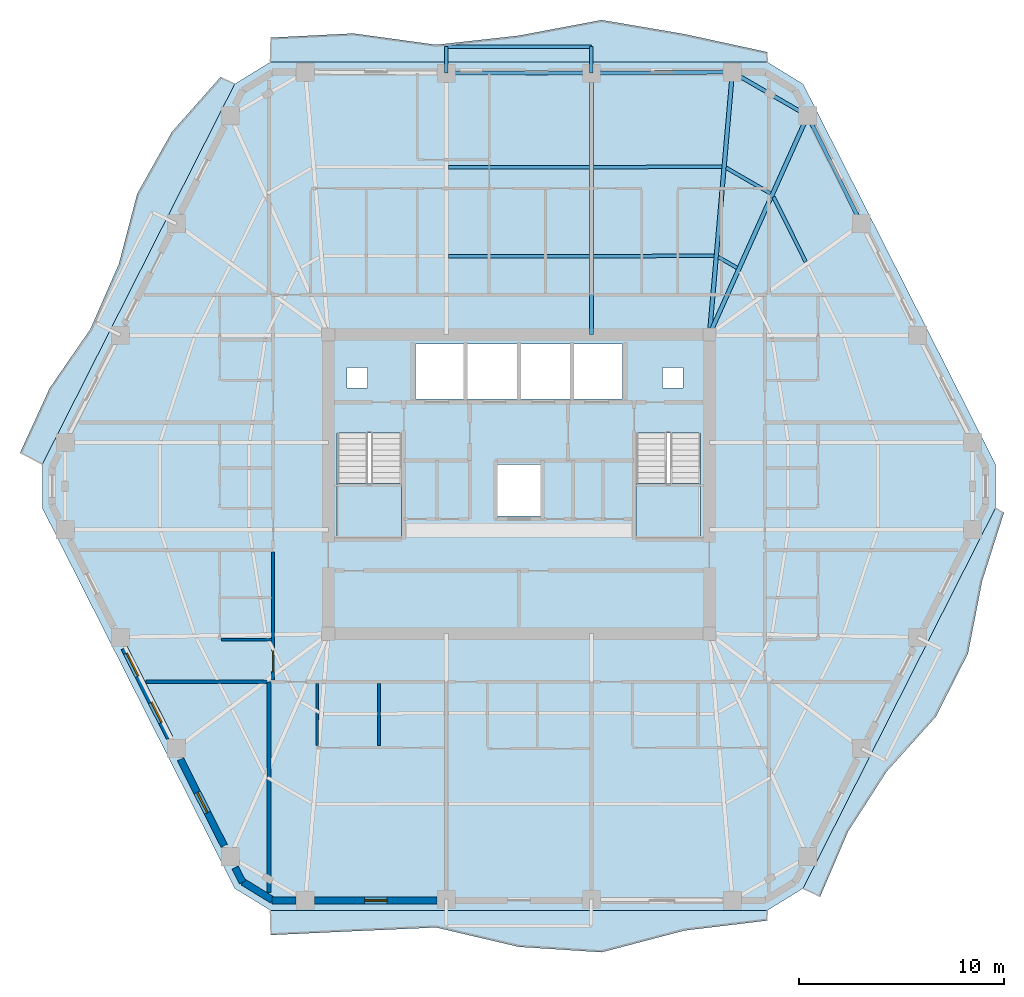
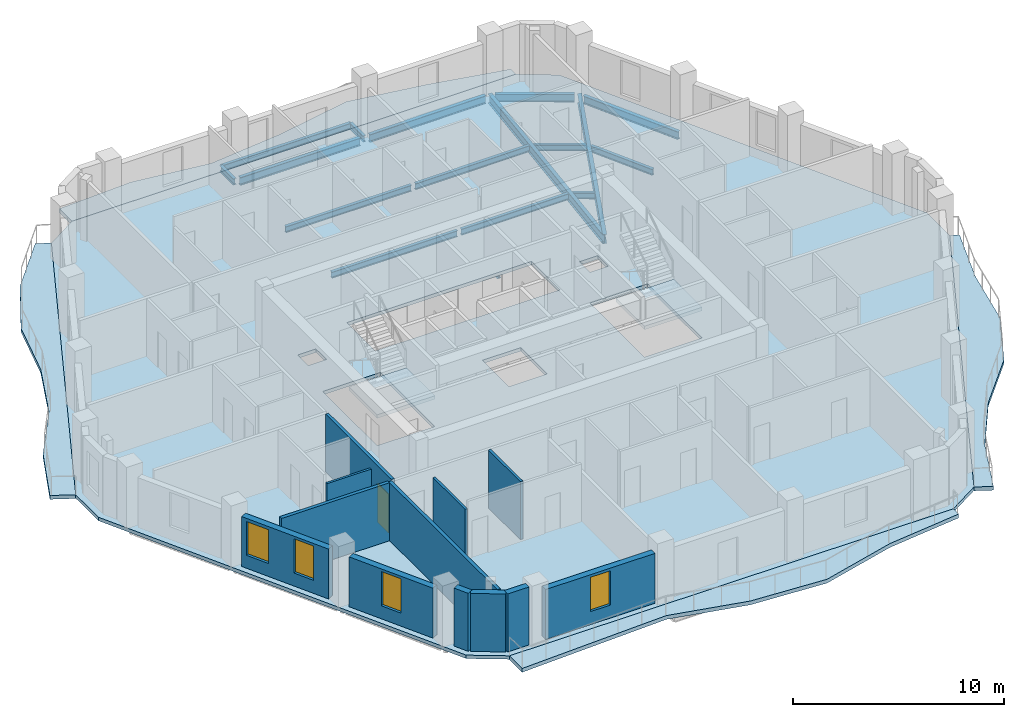
# One storey, part 3 of 10: 17 beams, 12 walls, 7 slabs, 4 windows, 1 door, 5 openings, 2 elements without a shape of their own.
"""IFC4 building model written with IfcOpenShell, lengths in metres."""

from ifc_helpers import new_model, si_unit, direction, frame, frame_2d, origin, origin_2d, place, context, subcontext, project, spatial, polyline, rectangle, i_section, outline, extrude, material, layer, layer_set, material_profile, profile_set, type_object, element, fill, aggregate, save


model = new_model("IFC4")

# Units and contexts
model_context = context("Model", 3, precision=1e-05, world=origin(), true_north=direction((0.0, 1.0)))
body_context = subcontext(model_context, "Body", "Model", "MODEL_VIEW")
ifc_project = project(units=[si_unit("LENGTHUNIT", "METRE"), si_unit("AREAUNIT", "SQUARE_METRE"), si_unit("VOLUMEUNIT", "CUBIC_METRE"), si_unit("PLANEANGLEUNIT", "RADIAN"), si_unit("MASSUNIT", "GRAM", prefix="KILO")], contexts=[model_context])

# Site, building, storey
site_placement = place(None, origin())
site = spatial("IfcSite", under=ifc_project, at=site_placement, CompositionType="ELEMENT")
building_placement = place(site_placement, origin())
building = spatial("IfcBuilding", under=site, at=building_placement, Name="Cinnabar Lancet Tower", CompositionType="ELEMENT")
storey_placement = place(building_placement, frame((0.0, 0.0, 203.85009765625)))
storey = spatial("IfcBuildingStorey", under=building, at=storey_placement, Name="L54", CompositionType="ELEMENT", Elevation=203.85009765625)

# Beams
ifc_material_1 = material(Name="Structural steel S355", Category="steel")
ifc_material_profile_1 = material_profile(ifc_material_1, i_section(OverallWidth=0.17138671875, OverallDepth=0.35498046875, WebThickness=0.00732421875, FlangeThickness=0.011474609375, FilletRadius=0.01025390625, at=origin_2d()), Name="UKB 356x171x51")
ifc_profile_set_1 = profile_set([ifc_material_profile_1], Name="Structural steel S355")
beam_type_1 = type_object("IfcBeamType", Name="STR-BM-JST-356", PredefinedType="JOIST", material=ifc_profile_set_1)
beam_1_placement = place(storey_placement, frame((46.40087890625, 36.75, -0.378173828125), z_axis=(-0.444780091128, 0.895639810714, 0.0), x_axis=(-0.895639810714, -0.444780091128, 0.0)))
element("IfcBeam", 1, at=beam_1_placement, inside=storey, type_object=beam_type_1, Name="L54 Secondary Floor Joist 29", PredefinedType="JOIST", context=body_context, shape_type="SweptSolid", body=[
    extrude(i_section(OverallWidth=0.17138671875, OverallDepth=0.35498046875, WebThickness=0.00732421875, FlangeThickness=0.011474609375, FilletRadius=0.01025390625, at=origin_2d()), origin(), (0.0, 0.0, 1.0), 3.533935546875),
])
beam_2_placement = place(storey_placement, frame((44.677978515625, 40.089111328125, -0.378173828125), z_axis=(-0.865267839663, 0.501309849937, 0.0), x_axis=(-0.501309849937, -0.865267839663, 0.0)))
element("IfcBeam", 2, at=beam_2_placement, inside=storey, type_object=beam_type_1, Name="L54 Secondary Floor Joist 31", PredefinedType="JOIST", context=body_context, shape_type="SweptSolid", body=[
    extrude(i_section(OverallWidth=0.17138671875, OverallDepth=0.35498046875, WebThickness=0.00732421875, FlangeThickness=0.011474609375, FilletRadius=0.01025390625, at=origin_2d()), origin(), (0.0, 0.0, 1.0), 2.497314453125),
])
beam_3_placement = place(storey_placement, frame((43.047119140625, 36.45703125, -0.378173828125), z_axis=(-0.8651881055, 0.501447446998, 0.0), x_axis=(-0.501447446998, -0.8651881055, 0.0)))
element("IfcBeam", 3, at=beam_3_placement, inside=storey, type_object=beam_type_1, Name="L54 Secondary Floor Joist 32", PredefinedType="JOIST", context=body_context, shape_type="SweptSolid", body=[
    extrude(i_section(OverallWidth=0.17138671875, OverallDepth=0.35498046875, WebThickness=0.00732421875, FlangeThickness=0.011474609375, FilletRadius=0.01025390625, at=origin_2d()), origin(), (0.0, 0.0, 1.0), 1.05322265625),
])
beam_4_placement = place(storey_placement, frame((42.31201171875, 41.39794921875, -0.378173828125), z_axis=(-0.999986965561, -0.005105752523, 0.0), x_axis=(0.005105752523, -0.999986965561, 0.0)))
element("IfcBeam", 4, at=beam_4_placement, inside=storey, type_object=beam_type_1, Name="L54 Secondary Floor Joist 33", PredefinedType="JOIST", context=body_context, shape_type="SweptSolid", body=[
    extrude(i_section(OverallWidth=0.17138671875, OverallDepth=0.35498046875, WebThickness=0.00732421875, FlangeThickness=0.011474609375, FilletRadius=0.01025390625, at=origin_2d()), origin(), (0.0, 0.0, 1.0), 6.263916015625),
])
beam_5_placement = place(storey_placement, frame((41.930908203125, 37.04296875, -0.378173828125), z_axis=(-0.999996795667, -0.002531532393, 0.0), x_axis=(0.002531532393, -0.999996795667, 0.0)))
element("IfcBeam", 5, at=beam_5_placement, inside=storey, type_object=beam_type_1, Name="L54 Secondary Floor Joist 34", PredefinedType="JOIST", context=body_context, shape_type="SweptSolid", body=[
    extrude(i_section(OverallWidth=0.17138671875, OverallDepth=0.35498046875, WebThickness=0.00732421875, FlangeThickness=0.011474609375, FilletRadius=0.01025390625, at=origin_2d()), origin(), (0.0, 0.0, 1.0), 5.8828125),
])
for number, where, z_axis, x_axis, name in (
    (6, (35.837890625, 41.364990234375, -0.378173828125), (-1.0, 0.0, 0.0), (0.0, -1.0, 0.0), "L54 Secondary Floor Joist 35"),
    (7, (35.837890625, 37.027099609375, -0.378173828125), (-1.0, 0.0, 0.0), (0.0, -1.0, 0.0), "L54 Secondary Floor Joist 36"),
):
    element("IfcBeam", number, at=place(storey_placement, frame(where, z_axis=z_axis, x_axis=x_axis)), inside=storey, type_object=beam_type_1, Name=name, PredefinedType="JOIST", context=body_context, shape_type="SweptSolid", body=[
        extrude(i_section(OverallWidth=0.17138671875, OverallDepth=0.35498046875, WebThickness=0.00732421875, FlangeThickness=0.011474609375, FilletRadius=0.01025390625, at=origin_2d()), origin(), (0.0, 0.0, 1.0), 6.8759765625),
    ])
ifc_material_2 = material(Name="Structural steel S355", Category="steel")
ifc_material_profile_2 = material_profile(ifc_material_2, i_section(OverallWidth=0.1904296875, OverallDepth=0.45703125, WebThickness=0.009033203125, FlangeThickness=0.014404296875, FilletRadius=0.01025390625, at=origin_2d()), Name="UKB 457x191x74")
ifc_profile_set_2 = profile_set([ifc_material_profile_2], Name="Structural steel S355")
beam_type_2 = type_object("IfcBeamType", Name="STR-BM-SPN-457", PredefinedType="SPANDREL", material=ifc_profile_set_2)
beam_6_placement = place(storey_placement, frame((49.008056640625, 38.822998046875, -0.427978515625), z_axis=(-0.444932986899, 0.895563865489, 0.0), x_axis=(-0.895563865489, -0.444932986899, 0.0)))
element("IfcBeam", 8, at=beam_6_placement, inside=storey, type_object=beam_type_2, Name="L54 Perimeter Spandrel 11", PredefinedType="SPANDREL", context=body_context, shape_type="SweptSolid", body=[
    extrude(i_section(OverallWidth=0.1904296875, OverallDepth=0.45703125, WebThickness=0.009033203125, FlangeThickness=0.014404296875, FilletRadius=0.01025390625, at=origin_2d()), origin(), (0.0, 0.0, 1.0), 5.398681640625),
])
beam_7_placement = place(storey_placement, frame((46.279052734375, 44.007080078125, -0.427978515625), z_axis=(-0.865195717586, 0.501434313016, 0.0), x_axis=(-0.501434313016, -0.865195717586, 0.0)))
element("IfcBeam", 9, at=beam_7_placement, inside=storey, type_object=beam_type_2, Name="L54 Perimeter Spandrel 12", PredefinedType="SPANDREL", context=body_context, shape_type="SweptSolid", body=[
    extrude(i_section(OverallWidth=0.1904296875, OverallDepth=0.45703125, WebThickness=0.009033203125, FlangeThickness=0.014404296875, FilletRadius=0.01025390625, at=origin_2d()), origin(), (0.0, 0.0, 1.0), 3.7470703125),
])
beam_8_placement = place(storey_placement, frame((42.571044921875, 46.009033203125, -0.427978515625), z_axis=(-0.999970401924, -0.007693846685, 0.0), x_axis=(0.007693846685, -0.999970401924, 0.0)))
element("IfcBeam", 10, at=beam_8_placement, inside=storey, type_object=beam_type_2, Name="L54 Perimeter Spandrel 13", PredefinedType="SPANDREL", context=body_context, shape_type="SweptSolid", body=[
    extrude(i_section(OverallWidth=0.1904296875, OverallDepth=0.45703125, WebThickness=0.009033203125, FlangeThickness=0.014404296875, FilletRadius=0.01025390625, at=origin_2d()), origin(), (0.0, 0.0, 1.0), 6.378173828125),
])
beam_9_placement = place(storey_placement, frame((35.693115234375, 45.9580078125, -0.427978515625), z_axis=(-1.0, 0.0, 0.0), x_axis=(0.0, -1.0, 0.0)))
element("IfcBeam", 11, at=beam_9_placement, inside=storey, type_object=beam_type_2, Name="L54 Perimeter Spandrel 14", PredefinedType="SPANDREL", context=body_context, shape_type="SweptSolid", body=[
    extrude(i_section(OverallWidth=0.1904296875, OverallDepth=0.45703125, WebThickness=0.009033203125, FlangeThickness=0.014404296875, FilletRadius=0.01025390625, at=origin_2d()), origin(), (0.0, 0.0, 1.0), 6.586181640625),
])
ifc_material_3 = material(Name="Structural steel S355", Category="steel")
ifc_material_profile_3 = material_profile(ifc_material_3, i_section(OverallWidth=0.209228515625, OverallDepth=0.533203125, WebThickness=0.010009765625, FlangeThickness=0.015625, FilletRadius=0.0126953125, at=origin_2d()), Name="UKB 533x210x92")
ifc_profile_set_3 = profile_set([ifc_material_profile_3], Name="Structural steel S355")
beam_type_3 = type_object("IfcBeamType", Name="STR-BM-UKB533-92", PredefinedType="BEAM", material=ifc_profile_set_3)
beam_10_placement = place(storey_placement, frame((46.4951171875, 43.882080078125, -0.467041015625), z_axis=(-0.409527011626, -0.912297992297, 0.0), x_axis=(0.912297992297, -0.409527011626, 0.0)))
element("IfcBeam", 12, at=beam_10_placement, inside=storey, type_object=beam_type_3, Name="L54 Primary Floor Girder 12", PredefinedType="BEAM", context=body_context, shape_type="SweptSolid", body=[
    extrude(i_section(OverallWidth=0.209228515625, OverallDepth=0.533203125, WebThickness=0.010009765625, FlangeThickness=0.015625, FilletRadius=0.0126953125, at=origin_2d()), origin(), (0.0, 0.0, 1.0), 11.708984375),
])
beam_11_placement = place(storey_placement, frame((42.821044921875, 46.010986328125, -0.467041015625), z_axis=(-0.087176841412, -0.996192851973, 0.0), x_axis=(0.996192851973, -0.087176841412, 0.0)))
element("IfcBeam", 13, at=beam_11_placement, inside=storey, type_object=beam_type_3, Name="L54 Primary Floor Girder 13", PredefinedType="BEAM", context=body_context, shape_type="SweptSolid", body=[
    extrude(i_section(OverallWidth=0.209228515625, OverallDepth=0.533203125, WebThickness=0.010009765625, FlangeThickness=0.015625, FilletRadius=0.0126953125, at=origin_2d()), origin(), (0.0, 0.0, 1.0), 12.860107421875),
])
beam_12_placement = place(storey_placement, frame((35.943115234375, 45.9580078125, -0.467041015625), z_axis=(0.0, -1.0, 0.0), x_axis=(1.0, 0.0, 0.0)))
element("IfcBeam", 14, at=beam_12_placement, inside=storey, type_object=beam_type_3, Name="L54 Primary Floor Girder 14", PredefinedType="BEAM", context=body_context, shape_type="SweptSolid", body=[
    extrude(i_section(OverallWidth=0.209228515625, OverallDepth=0.533203125, WebThickness=0.010009765625, FlangeThickness=0.015625, FilletRadius=0.0126953125, at=origin_2d()), origin(), (0.0, 0.0, 1.0), 12.758056640625),
])
ifc_material_4 = material(Name="Structural steel S355", Category="steel")
ifc_material_profile_4 = material_profile(ifc_material_4, i_section(OverallWidth=0.17138671875, OverallDepth=0.35498046875, WebThickness=0.00732421875, FlangeThickness=0.011474609375, FilletRadius=0.01025390625, at=origin_2d()), Name="UKB 356x171x51")
ifc_profile_set_4 = profile_set([ifc_material_profile_4], Name="Structural steel S355")
beam_type_4 = type_object("IfcBeamType", Name="STR-BM-WAV-OUT", PredefinedType="BEAM", material=ifc_profile_set_4)
for number, where, z_axis, x_axis, name in (
    (15, (35.943115234375, 45.9580078125, -0.398193359375), (0.0, 1.0, 0.0), (-1.0, 0.0, 0.0), "L54 Face 4 Balcony Outlooker A"),
    (16, (28.85693359375, 45.9580078125, -0.398193359375), (0.0, 1.0, 0.0), (-1.0, 0.0, 0.0), "L54 Face 4 Balcony Outlooker B"),
):
    element("IfcBeam", number, at=place(storey_placement, frame(where, z_axis=z_axis, x_axis=x_axis)), inside=storey, type_object=beam_type_4, Name=name, PredefinedType="BEAM", context=body_context, shape_type="SweptSolid", body=[
        extrude(i_section(OverallWidth=0.17138671875, OverallDepth=0.35498046875, WebThickness=0.00732421875, FlangeThickness=0.011474609375, FilletRadius=0.01025390625, at=origin_2d()), origin(), (0.0, 0.0, 1.0), 1.300048828125),
    ])
ifc_material_5 = material(Name="Structural steel S355", Category="steel")
ifc_material_profile_5 = material_profile(ifc_material_5, i_section(OverallWidth=0.17138671875, OverallDepth=0.35498046875, WebThickness=0.00732421875, FlangeThickness=0.011474609375, FilletRadius=0.01025390625, at=origin_2d()), Name="UKB 356x171x51")
ifc_profile_set_5 = profile_set([ifc_material_profile_5], Name="Structural steel S355")
beam_type_5 = type_object("IfcBeamType", Name="STR-BM-WAV-TRIM", PredefinedType="SPANDREL", material=ifc_profile_set_5)
beam_13_placement = place(storey_placement, frame((35.943115234375, 47.258056640625, -0.398193359375), z_axis=(-1.0, 0.0, 0.0), x_axis=(0.0, -1.0, 0.0)))
element("IfcBeam", 17, at=beam_13_placement, inside=storey, type_object=beam_type_5, Name="L54 Face 4 Balcony Edge Trimmer", PredefinedType="SPANDREL", context=body_context, shape_type="SweptSolid", body=[
    extrude(i_section(OverallWidth=0.17138671875, OverallDepth=0.35498046875, WebThickness=0.00732421875, FlangeThickness=0.011474609375, FilletRadius=0.01025390625, at=origin_2d()), origin(), (0.0, 0.0, 1.0), 7.086181640625),
])

# Stair, slab
ifc_material_6 = material(Name="Concrete C40/50", Category="concrete")
stair_type = type_object("IfcStairType", Name="ST-CORE", PredefinedType="HALF_TURN_STAIR", material=ifc_material_6)
stair_1_placement = place(storey_placement, origin())
stair_1 = element("IfcStair", 18, at=stair_1_placement, inside=storey, type_object=stair_type, Name="L54 ST-1", PredefinedType="HALF_TURN_STAIR")
ifc_material_7 = material(Name="Concrete C40/50", Category="concrete")
ifc_layer_1 = layer(ifc_material_7, 0.199951171875)
ifc_layer_set_1 = layer_set([ifc_layer_1], Name="Concrete C40/50")
slab_type_1 = type_object("IfcSlabType", Name="LANDING-CORE", PredefinedType="LANDING", material=ifc_layer_set_1)
slab_1_placement = place(storey_placement, frame((0.0, 0.0, 1.574951171875)))
slab_1 = element("IfcSlab", 19, at=slab_1_placement, type_object=slab_type_1, Name="ST-1 landing 1", PredefinedType="LANDING", context=body_context, shape_type="SweptSolid", body=[
    extrude(outline(polyline([(23.52490234375, 25.925048828125), (23.52490234375, 23.25), (26.675048828125, 23.25), (26.675048828125, 25.925048828125), (23.52490234375, 25.925048828125)])), origin(), (0.0, 0.0, 1.0), 0.199951171875),
])
aggregate(stair_1, [slab_1])

stair_2_placement = place(storey_placement, origin())
stair_2 = element("IfcStair", 20, at=stair_2_placement, inside=storey, type_object=stair_type, Name="L54 ST-2", PredefinedType="HALF_TURN_STAIR")
slab_2_placement = place(storey_placement, frame((0.0, 0.0, 1.574951171875)))
slab_2 = element("IfcSlab", 21, at=slab_2_placement, type_object=slab_type_1, Name="ST-2 landing 1", PredefinedType="LANDING", context=body_context, shape_type="SweptSolid", body=[
    extrude(outline(polyline([(38.125, 25.925048828125), (38.125, 23.25), (41.27490234375, 23.25), (41.27490234375, 25.925048828125), (38.125, 25.925048828125)])), origin(), (0.0, 0.0, 1.0), 0.199951171875),
])
aggregate(stair_2, [slab_2])

# Slabs
ifc_material_8 = material(Name="Concrete C40/50", Category="concrete")
ifc_layer_2 = layer(ifc_material_8, 0.199951171875)
ifc_layer_set_2 = layer_set([ifc_layer_2], Name="Concrete C40/50")
slab_type_2 = type_object("IfcSlabType", Name="STR-SLB-FLR-200", PredefinedType="FLOOR", material=ifc_layer_set_2)
slab_3_placement = place(storey_placement, frame((0.0, 0.0, -0.2001953125)))
element("IfcSlab", 22, at=slab_3_placement, inside=storey, type_object=slab_type_2, Name="L54 Structural Floor Slab", PredefinedType="FLOOR", context=body_context, shape_type="SweptSolid", body=[
    extrude(outline(polyline([(18.530029296875, 6.1708984375), (20.27197265625, 5.10009765625), (44.528076171875, 5.10009765625), (46.27001953125, 6.1708984375), (55.657958984375, 24.72900390625), (55.657958984375, 26.87109375), (46.27001953125, 45.428955078125), (44.528076171875, 46.5), (20.27197265625, 46.5), (18.530029296875, 45.428955078125), (9.14208984375, 26.87109375), (9.14208984375, 24.72900390625), (18.530029296875, 6.1708984375)]), holes=[polyline([(23.52490234375, 23.25), (26.675048828125, 23.25), (26.675048828125, 28.3994140625), (23.52490234375, 28.3994140625), (23.52490234375, 23.25)]), polyline([(38.125, 23.25), (41.27490234375, 23.25), (41.27490234375, 28.3994140625), (38.125, 28.3994140625), (38.125, 23.25)]), polyline([(27.35009765625, 30.050048828125), (37.449951171875, 30.050048828125), (37.449951171875, 32.75), (27.35009765625, 32.75), (27.35009765625, 30.050048828125)]), polyline([(31.35009765625, 24.35009765625), (33.449951171875, 24.35009765625), (33.449951171875, 26.85009765625), (31.35009765625, 26.85009765625), (31.35009765625, 24.35009765625)]), polyline([(24.0, 30.60009765625), (25.0, 30.60009765625), (25.0, 31.60009765625), (24.0, 31.60009765625), (24.0, 30.60009765625)]), polyline([(39.39990234375, 30.60009765625), (40.39990234375, 30.60009765625), (40.39990234375, 31.60009765625), (39.39990234375, 31.60009765625), (39.39990234375, 30.60009765625)])]), origin(), (0.0, 0.0, 1.0), 0.2001953125),
])
ifc_material_9 = material(Name="Concrete C45/55", Category="concrete")
ifc_layer_3 = layer(ifc_material_9, 0.219970703125)
ifc_layer_set_3 = layer_set([ifc_layer_3], Name="Concrete C45/55")
slab_type_3 = type_object("IfcSlabType", Name="STR-SLB-WAV-220", PredefinedType="FLOOR", material=ifc_layer_set_3)
slab_4_placement = place(storey_placement, frame((0.0, 0.0, -0.22021484375)))
element("IfcSlab", 23, at=slab_4_placement, inside=storey, type_object=slab_type_3, Name="L54 Face 1 Undulating Wave Balcony Slab", PredefinedType="FLOOR", context=body_context, shape_type="SweptSolid", body=[
    extrude(outline(polyline([(20.27197265625, 5.10009765625), (20.27197265625, 3.89306640625), (24.31494140625, 4.0810546875), (28.35693359375, 4.262939453125), (32.39990234375, 3.31591796875), (36.443115234375, 3.052978515625), (40.485107421875, 4.114013671875), (44.528076171875, 4.60009765625), (44.528076171875, 5.10009765625), (20.27197265625, 5.10009765625)])), origin(), (0.0, 0.0, 1.0), 0.22021484375),
])
slab_5_placement = place(storey_placement, frame((0.0, 0.0, -0.22021484375)))
element("IfcSlab", 24, at=slab_5_placement, inside=storey, type_object=slab_type_3, Name="L54 Face 2 Undulating Wave Balcony Slab", PredefinedType="FLOOR", context=body_context, shape_type="SweptSolid", body=[
    extrude(outline(polyline([(46.27001953125, 6.1708984375), (47.094970703125, 5.7529296875), (48.464111328125, 8.946044921875), (50.35009765625, 11.8759765625), (52.748046875, 14.547119140625), (54.319091796875, 17.636962890625), (55.010986328125, 21.172119140625), (56.076904296875, 24.51708984375), (55.657958984375, 24.72900390625), (46.27001953125, 6.1708984375)])), origin(), (0.0, 0.0, 1.0), 0.22021484375),
])
slab_6_placement = place(storey_placement, frame((0.0, 0.0, -0.22021484375)))
element("IfcSlab", 25, at=slab_6_placement, inside=storey, type_object=slab_type_3, Name="L54 Face 4 Undulating Wave Balcony Slab", PredefinedType="FLOOR", context=body_context, shape_type="SweptSolid", body=[
    extrude(outline(polyline([(44.528076171875, 46.5), (44.528076171875, 46.986083984375), (40.485107421875, 47.865966796875), (36.443115234375, 48.553955078125), (32.39990234375, 47.79296875), (28.35693359375, 47.344970703125), (24.31494140625, 47.89892578125), (20.27197265625, 47.693115234375), (20.27197265625, 46.5), (44.528076171875, 46.5)])), origin(), (0.0, 0.0, 1.0), 0.22021484375),
])
slab_7_placement = place(storey_placement, frame((0.0, 0.0, -0.22021484375)))
element("IfcSlab", 26, at=slab_7_placement, inside=storey, type_object=slab_type_3, Name="L54 Face 5 Undulating Wave Balcony Slab", PredefinedType="FLOOR", context=body_context, shape_type="SweptSolid", body=[
    extrude(outline(polyline([(18.530029296875, 45.428955078125), (17.844970703125, 45.77490234375), (15.466064453125, 43.093994140625), (13.77099609375, 40.068115234375), (12.8740234375, 36.636962890625), (11.48095703125, 33.45703125), (9.49609375, 30.576904296875), (8.051025390625, 27.423095703125), (9.14208984375, 26.87109375), (18.530029296875, 45.428955078125)])), origin(), (0.0, 0.0, 1.0), 0.22021484375),
])

# Wall, opening, door
ifc_material_10 = material(Name="Acoustic twin-stud gypsum partition", Category="gypsum")
ifc_layer_4 = layer(ifc_material_10, 0.159912109375)
ifc_layer_set_4 = layer_set([ifc_layer_4], Name="Acoustic twin-stud gypsum partition")
wall_type_1 = type_object("IfcWallType", Name="ARC-WL-CORR-160", PredefinedType="PARTITIONING", material=ifc_layer_set_4)
wall_1_placement = place(storey_placement, frame((20.39990234375, 16.344970703125, 0.0), z_axis=(0.0, 0.0, 1.0), x_axis=(0.0, 1.0, 0.0)))
wall_1 = element("IfcWall", 27, at=wall_1_placement, inside=storey, type_object=wall_type_1, Name="UW-L54-W01-COR", PredefinedType="PARTITIONING", context=body_context, shape_type="SweptSolid", body=[
    extrude(rectangle(XDim=6.236083984375, YDim=0.159912109375, at=frame_2d((3.1181640625, 0.0))), origin(), (0.0, 0.0, 1.0), 3.349853515625),
])
opening_1_placement = place(wall_1_placement, frame((0.39990234375, 0.0, 0.0)))
opening_1 = element("IfcOpeningElement", 28, at=opening_1_placement, cuts=wall_1, Name="Opening UD-01", PredefinedType="OPENING", context=body_context, shape_type="SweptSolid", body=[
    extrude(rectangle(XDim=1.02001953125, YDim=2.25, at=frame_2d((0.510009765625, 1.125))), frame((0.0, 0.08984375, 0.0), z_axis=(0.0, -1.0, 0.0), x_axis=(1.0, 0.0, 0.0)), (0.0, 0.0, 1.0), 0.179931640625),
])
ifc_material_11 = material(Name="Solid timber fire-rated apartment entrance door", Category="wood")
door_type = type_object("IfcDoorType", Name="ARC-DR-UNIT", OperationType="NOTDEFINED", PredefinedType="DOOR", material=ifc_material_11)
door_placement = place(opening_1_placement, origin())
door = element("IfcDoor", 29, at=door_placement, inside=storey, type_object=door_type, Name="DR-L54-W01-ENT", OperationType="SINGLE_SWING_LEFT", OverallHeight=2.25, OverallWidth=1.02001953125, PredefinedType="DOOR", context=body_context, shape_type="SweptSolid", body=[
    extrude(rectangle(XDim=1.02001953125, YDim=2.25, at=frame_2d((0.510009765625, 1.125))), frame((0.0, 0.02490234375, 0.0), z_axis=(0.0, -1.0, 0.0), x_axis=(1.0, 0.0, 0.0)), (0.0, 0.0, 1.0), 0.050048828125),
])
fill(opening_1, door)

# Walls
ifc_material_12 = material(Name="Fire-rated twin-frame acoustic drywall", Category="gypsum")
ifc_layer_5 = layer(ifc_material_12, 0.179931640625)
ifc_layer_set_5 = layer_set([ifc_layer_5], Name="Fire-rated twin-frame acoustic drywall")
wall_type_2 = type_object("IfcWallType", Name="ARC-WL-PARTY-180", PredefinedType="PARTITIONING", material=ifc_layer_set_5)
wall_2_placement = place(storey_placement, frame((20.199951171875, 5.968017578125, 0.0), z_axis=(0.0, 0.0, 1.0), x_axis=(0.0, 1.0, 0.0)))
element("IfcWall", 30, at=wall_2_placement, inside=storey, type_object=wall_type_2, Name="PW-L54-SPTY-202", PredefinedType="PARTITIONING", context=body_context, shape_type="SweptSolid", body=[
    extrude(rectangle(XDim=10.281982421875, YDim=0.179931640625, at=frame_2d((5.14111328125, 0.0))), origin(), (0.0, 0.0, 1.0), 3.349853515625),
])
wall_3_placement = place(storey_placement, frame((14.2109375, 16.25, 0.0), z_axis=(0.0, 0.0, 1.0), x_axis=(1.0, 0.0, 0.0)))
element("IfcWall", 31, at=wall_3_placement, inside=storey, type_object=wall_type_2, Name="PW-L54-WSB", PredefinedType="PARTITIONING", context=body_context, shape_type="SweptSolid", body=[
    extrude(rectangle(XDim=5.89404296875, YDim=0.179931640625, at=frame_2d((2.947021484375, 0.0))), origin(), (0.0, 0.0, 1.0), 3.349853515625),
])
ifc_material_13 = material(Name="Gypsum plasterboard stud partition", Category="gypsum")
ifc_layer_6 = layer(ifc_material_13, 0.125)
ifc_layer_set_6 = layer_set([ifc_layer_6], Name="Gypsum plasterboard stud partition")
wall_type_3 = type_object("IfcWallType", Name="ARC-WL-UNIT-125", PredefinedType="PARTITIONING", material=ifc_layer_set_6)
wall_4_placement = place(storey_placement, frame((22.550048828125, 13.138916015625, 0.0), z_axis=(0.0, 0.0, 1.0), x_axis=(0.0, 1.0, 0.0)))
element("IfcWall", 32, at=wall_4_placement, inside=storey, type_object=wall_type_3, Name="UW-L54-S01-FOYE", PredefinedType="PARTITIONING", context=body_context, shape_type="SweptSolid", body=[
    extrude(rectangle(XDim=3.026123046875, YDim=0.125, at=frame_2d((1.51318359375, 0.0))), origin(), (0.0, 0.0, 1.0), 2.806884765625),
])
wall_5_placement = place(storey_placement, frame((17.885009765625, 18.300048828125, 0.0), z_axis=(0.0, 0.0, 1.0), x_axis=(1.0, 0.0, 0.0)))
element("IfcWall", 33, at=wall_5_placement, inside=storey, type_object=wall_type_3, Name="UW-L54-W01-FOYN", PredefinedType="PARTITIONING", context=body_context, shape_type="SweptSolid", body=[
    extrude(rectangle(XDim=2.429931640625, YDim=0.125, at=frame_2d((1.21484375, 0.0))), origin(), (0.0, 0.0, 1.0), 2.806884765625),
])
ifc_material_14 = material(Name="Moisture-resistant cement-board plumbing wall", Category="masonry")
ifc_layer_7 = layer(ifc_material_14, 0.139892578125)
ifc_layer_set_7 = layer_set([ifc_layer_7], Name="Moisture-resistant cement-board plumbing wall")
wall_type_4 = type_object("IfcWallType", Name="ARC-WL-WET-140", PredefinedType="PLUMBINGWALL", material=ifc_layer_set_7)
wall_6_placement = place(storey_placement, frame((25.576904296875, 13.138916015625, 0.0), z_axis=(0.0, 0.0, 1.0), x_axis=(0.0, 1.0, 0.0)))
element("IfcWall", 34, at=wall_6_placement, inside=storey, type_object=wall_type_4, Name="UW-L54-S01-KDV", PredefinedType="PLUMBINGWALL", context=body_context, shape_type="SweptSolid", body=[
    extrude(rectangle(XDim=3.026123046875, YDim=0.139892578125, at=frame_2d((1.51318359375, 0.0))), origin(), (0.0, 0.0, 1.0), 3.349853515625),
])
ifc_material_15 = material(Name="Cinnabar red clay brick", Category="masonry")
ifc_layer_8 = layer(ifc_material_15, 0.340087890625)
ifc_layer_set_8 = layer_set([ifc_layer_8], Name="Cinnabar red clay brick")
wall_type_5 = type_object("IfcWallType", Name="ENV-WL-BRK-RED-340", PredefinedType="STANDARD", material=ifc_layer_set_8)
wall_7_placement = place(storey_placement, frame((18.93798828125, 6.48388671875, 0.0), z_axis=(0.0, 0.0, 1.0), x_axis=(0.851778214877, -0.523902541185, 0.0)))
element("IfcWall", 35, at=wall_7_placement, inside=storey, type_object=wall_type_5, Name="L54 Chamfered Corner Brick Pier 1.1", PredefinedType="STANDARD", context=body_context, shape_type="SweptSolid", body=[
    extrude(rectangle(XDim=1.677734375, YDim=0.340087890625, at=frame_2d((0.8388671875, 0.0))), origin(), (0.0, 0.0, 1.0), 3.349853515625),
])
wall_8_placement = place(storey_placement, frame((20.362060546875, 5.580078125, 0.0), z_axis=(0.0, 0.0, 1.0), x_axis=(1.0, 0.0, 0.0)))
element("IfcWall", 36, at=wall_8_placement, inside=storey, type_object=wall_type_5, Name="L54 Face 1 Masonry Bay Wall 1", PredefinedType="STANDARD", context=body_context, shape_type="SweptSolid", body=[
    extrude(rectangle(XDim=1.162841796875, YDim=0.340087890625, at=frame_2d((0.58154296875, 0.0))), origin(), (0.0, 0.0, 1.0), 3.349853515625),
])

# Wall, opening, window
wall_9_placement = place(storey_placement, frame((22.43310546875, 5.580078125, 0.0), z_axis=(0.0, 0.0, 1.0), x_axis=(1.0, 0.0, 0.0)))
wall_9 = element("IfcWall", 37, at=wall_9_placement, inside=storey, type_object=wall_type_5, Name="L54 Face 1 Masonry Bay Wall 2", PredefinedType="STANDARD", context=body_context, shape_type="SweptSolid", body=[
    extrude(rectangle(XDim=5.969970703125, YDim=0.340087890625, at=frame_2d((2.98486328125, 0.0))), origin(), (0.0, 0.0, 1.0), 2.8828125),
])
opening_2_placement = place(wall_9_placement, frame((2.43505859375, 0.0, 0.75)))
opening_2 = element("IfcOpeningElement", 38, at=opening_2_placement, cuts=wall_9, Name="Opening WN-04", PredefinedType="OPENING", context=body_context, shape_type="SweptSolid", body=[
    extrude(rectangle(XDim=1.10009765625, YDim=1.98291015625, at=frame_2d((0.550048828125, 0.991455078125))), frame((0.0, 0.179931640625, 0.0), z_axis=(0.0, -1.0, 0.0), x_axis=(1.0, 0.0, 0.0)), (0.0, 0.0, 1.0), 0.360107421875),
])
ifc_material_16 = material(Name="Thermally broken bronze-anodized aluminium tall lancet window", Category="aluminium")
window_type_1 = type_object("IfcWindowType", Name="ENV-WN-LANCET-1100", PartitioningType="SINGLE_PANEL", PredefinedType="WINDOW", material=ifc_material_16)
window_1_placement = place(opening_2_placement, origin())
window_1 = element("IfcWindow", 39, at=window_1_placement, inside=storey, type_object=window_type_1, Name="L54 Face 1 Gothic Lancet Window 2", OverallHeight=1.98291015625, OverallWidth=1.10009765625, PartitioningType="SINGLE_PANEL", PredefinedType="WINDOW", context=body_context, shape_type="SweptSolid", body=[
    extrude(rectangle(XDim=1.10009765625, YDim=1.98291015625, at=frame_2d((0.550048828125, 0.991455078125))), frame((0.0, 0.030029296875, 0.0), z_axis=(0.0, -1.0, 0.0), x_axis=(1.0, 0.0, 0.0)), (0.0, 0.0, 1.0), 0.06005859375),
])
fill(opening_2, window_1)

# Wall, openings, windows
wall_10_placement = place(storey_placement, frame((13.135009765625, 17.89794921875, 0.0), z_axis=(0.0, 0.0, 1.0), x_axis=(0.451544279509, -0.892248711763, 0.0)))
wall_10 = element("IfcWall", 40, at=wall_10_placement, inside=storey, type_object=wall_type_5, Name="L54 Face 6 Masonry Bay Wall 3", PredefinedType="STANDARD", context=body_context, shape_type="SweptSolid", body=[
    extrude(rectangle(XDim=4.909912109375, YDim=0.340087890625, at=frame_2d((2.455078125, 0.0))), origin(), (0.0, 0.0, 1.0), 2.8828125),
])
opening_3_placement = place(wall_10_placement, frame((0.278076171875, 0.0, 0.75)))
opening_3 = element("IfcOpeningElement", 41, at=opening_3_placement, cuts=wall_10, Name="Opening WN-03", PredefinedType="OPENING", context=body_context, shape_type="SweptSolid", body=[
    extrude(rectangle(XDim=1.25, YDim=1.949951171875, at=frame_2d((0.625, 0.97509765625))), frame((0.0, 0.179931640625, 0.0), z_axis=(0.0, -1.0, 0.0), x_axis=(1.0, 0.0, 0.0)), (0.0, 0.0, 1.0), 0.360107421875),
])
opening_4_placement = place(wall_10_placement, frame((2.958984375, 0.0, 0.75)))
opening_4 = element("IfcOpeningElement", 42, at=opening_4_placement, cuts=wall_10, Name="Opening WN-04", PredefinedType="OPENING", context=body_context, shape_type="SweptSolid", body=[
    extrude(rectangle(XDim=1.10009765625, YDim=1.98291015625, at=frame_2d((0.550048828125, 0.991455078125))), frame((0.0, 0.179931640625, 0.0), z_axis=(0.0, -1.0, 0.0), x_axis=(1.0, 0.0, 0.0)), (0.0, 0.0, 1.0), 0.360107421875),
])
window_2_placement = place(opening_4_placement, origin())
window_2 = element("IfcWindow", 43, at=window_2_placement, inside=storey, type_object=window_type_1, Name="L54 Split-Bay Gothic Lancet Window 186", OverallHeight=1.98291015625, OverallWidth=1.10009765625, PartitioningType="SINGLE_PANEL", PredefinedType="WINDOW", context=body_context, shape_type="SweptSolid", body=[
    extrude(rectangle(XDim=1.10009765625, YDim=1.98291015625, at=frame_2d((0.550048828125, 0.991455078125))), frame((0.0, 0.030029296875, 0.0), z_axis=(0.0, -1.0, 0.0), x_axis=(1.0, 0.0, 0.0)), (0.0, 0.0, 1.0), 0.06005859375),
])
fill(opening_4, window_2)
ifc_material_17 = material(Name="Thermally broken bronze-anodized aluminium low-E double glazing", Category="aluminium")
window_type_2 = type_object("IfcWindowType", Name="ENV-WN-LANCET-1250", PartitioningType="SINGLE_PANEL", PredefinedType="WINDOW", material=ifc_material_17)
window_3_placement = place(opening_3_placement, origin())
window_3 = element("IfcWindow", 44, at=window_3_placement, inside=storey, type_object=window_type_2, Name="L54 Face 6 Gothic Lancet Window 3", OverallHeight=1.949951171875, OverallWidth=1.25, PartitioningType="SINGLE_PANEL", PredefinedType="WINDOW", context=body_context, shape_type="SweptSolid", body=[
    extrude(rectangle(XDim=1.25, YDim=1.949951171875, at=frame_2d((0.625, 0.97509765625))), frame((0.0, 0.030029296875, 0.0), z_axis=(0.0, -1.0, 0.0), x_axis=(1.0, 0.0, 0.0)), (0.0, 0.0, 1.0), 0.06005859375),
])
fill(opening_3, window_3)

# Wall, opening, window
wall_11_placement = place(storey_placement, frame((15.881103515625, 12.469970703125, 0.0), z_axis=(0.0, 0.0, 1.0), x_axis=(0.451522864045, -0.892259549259, 0.0)))
wall_11 = element("IfcWall", 45, at=wall_11_placement, inside=storey, type_object=wall_type_5, Name="L54 Face 6 Masonry Bay Wall 4", PredefinedType="STANDARD", context=body_context, shape_type="SweptSolid", body=[
    extrude(rectangle(XDim=4.730712890625, YDim=0.340087890625, at=frame_2d((2.365234375, 0.0))), origin(), (0.0, 0.0, 1.0), 2.8828125),
])
opening_5_placement = place(wall_11_placement, frame((1.81494140625, 0.0, 0.75)))
opening_5 = element("IfcOpeningElement", 46, at=opening_5_placement, cuts=wall_11, Name="Opening WN-04", PredefinedType="OPENING", context=body_context, shape_type="SweptSolid", body=[
    extrude(rectangle(XDim=1.10009765625, YDim=1.98291015625, at=frame_2d((0.550048828125, 0.991455078125))), frame((0.0, 0.179931640625, 0.0), z_axis=(0.0, -1.0, 0.0), x_axis=(1.0, 0.0, 0.0)), (0.0, 0.0, 1.0), 0.360107421875),
])
window_4_placement = place(opening_5_placement, origin())
window_4 = element("IfcWindow", 47, at=window_4_placement, inside=storey, type_object=window_type_1, Name="L54 Face 6 Gothic Lancet Window 4", OverallHeight=1.98291015625, OverallWidth=1.10009765625, PartitioningType="SINGLE_PANEL", PredefinedType="WINDOW", context=body_context, shape_type="SweptSolid", body=[
    extrude(rectangle(XDim=1.10009765625, YDim=1.98291015625, at=frame_2d((0.550048828125, 0.991455078125))), frame((0.0, 0.030029296875, 0.0), z_axis=(0.0, -1.0, 0.0), x_axis=(1.0, 0.0, 0.0)), (0.0, 0.0, 1.0), 0.06005859375),
])
fill(opening_5, window_4)

# Wall
wall_12_placement = place(storey_placement, frame((18.553955078125, 7.18701171875, 0.0), z_axis=(0.0, 0.0, 1.0), x_axis=(0.451691568309, -0.892174157392, 0.0)))
element("IfcWall", 48, at=wall_12_placement, inside=storey, type_object=wall_type_5, Name="L54 Face 6 Masonry Bay Wall 5", PredefinedType="STANDARD", context=body_context, shape_type="SweptSolid", body=[
    extrude(rectangle(XDim=0.805908203125, YDim=0.340087890625, at=frame_2d((0.40283203125, 0.0))), origin(), (0.0, 0.0, 1.0), 3.349853515625),
])

save(model, "model.ifc")
